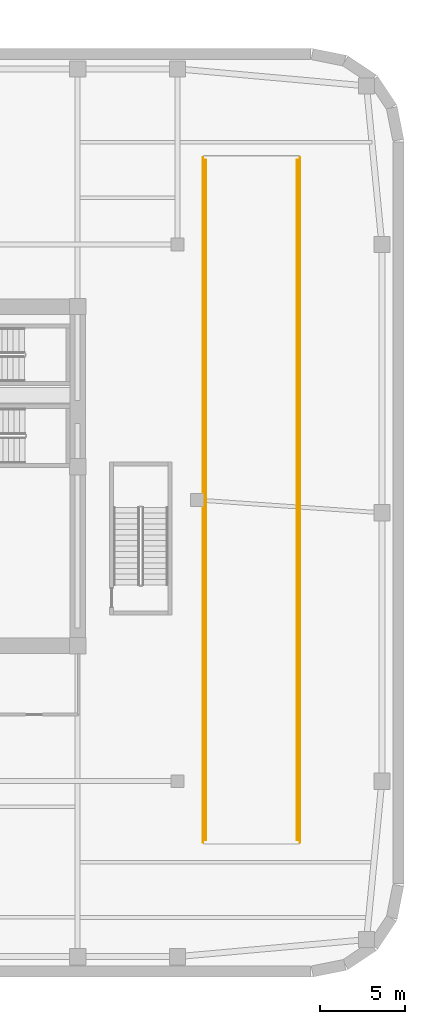
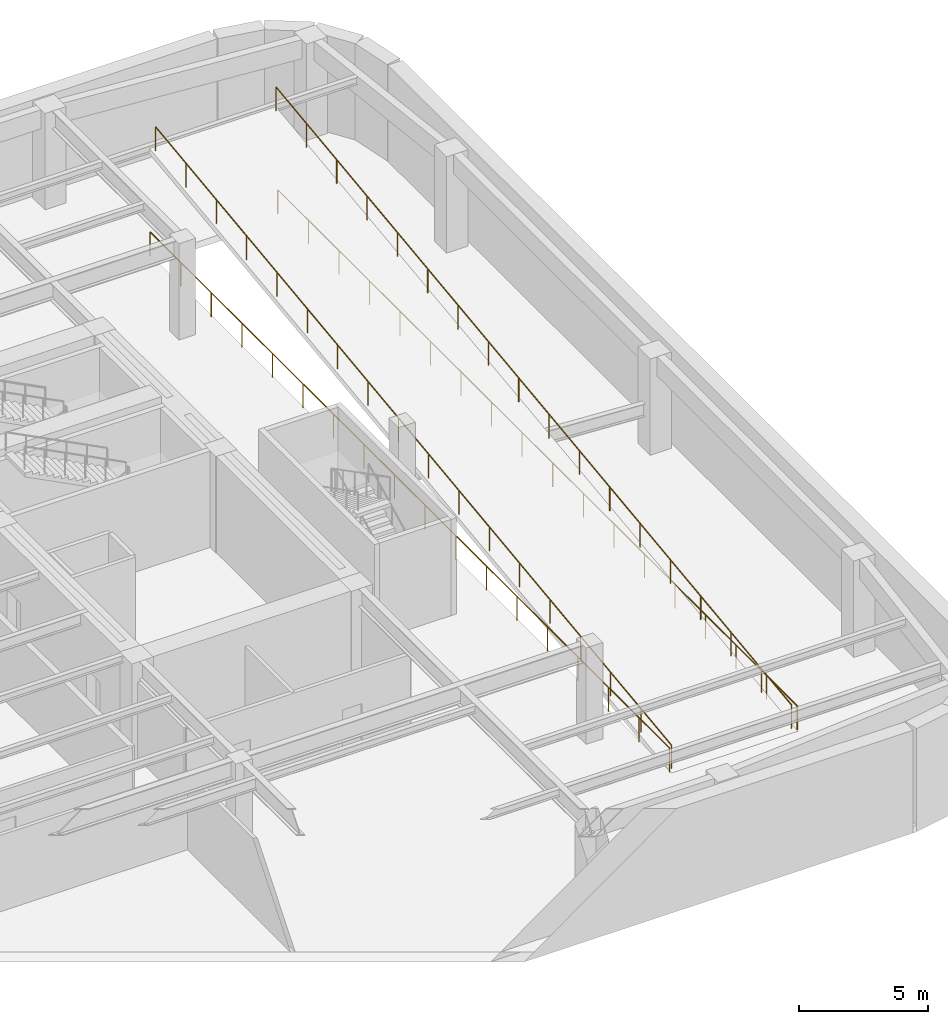
# One storey, part 12 of 12: 4 railings.
"""IFC4 building model written with IfcOpenShell, lengths in metres."""

from ifc_helpers import new_model, si_unit, direction, frame, origin, origin_2d, place, context, subcontext, project, spatial, circle, extrude, material, type_object, element, save


model = new_model("IFC4")

# Units and contexts
model_context = context("Model", 3, precision=1e-05, world=origin(), true_north=direction((0.0, 1.0)))
body_context = subcontext(model_context, "Body", "Model", "MODEL_VIEW")
ifc_project = project(units=[si_unit("LENGTHUNIT", "METRE"), si_unit("AREAUNIT", "SQUARE_METRE"), si_unit("VOLUMEUNIT", "CUBIC_METRE"), si_unit("PLANEANGLEUNIT", "RADIAN"), si_unit("MASSUNIT", "GRAM", prefix="KILO")], contexts=[model_context])

# Site, building, storey
site_placement = place(None, origin())
site = spatial("IfcSite", under=ifc_project, at=site_placement, CompositionType="ELEMENT")
building_placement = place(site_placement, origin())
building = spatial("IfcBuilding", under=site, at=building_placement, Name="Kolvaren Arena Tower", CompositionType="ELEMENT")
storey_placement = place(building_placement, frame((0.0, 0.0, -5.0)))
storey = spatial("IfcBuildingStorey", under=building, at=storey_placement, Name="B01", CompositionType="ELEMENT", Elevation=-5.0)

# Railings
ifc_material = material(Name="Painted galvanized steel", Category="steel")
railing_type = type_object("IfcRailingType", Name="GUARD-ST-110", PredefinedType="GUARDRAIL", material=ifc_material)
railing_1_placement = place(storey_placement, frame((67.860107421875, 8.050048828125, 0.0)))
element("IfcRailing", 1, at=railing_1_placement, inside=storey, type_object=railing_type, Name="Vehicle Ramp Edge Guardrail (B01)", PredefinedType="GUARDRAIL", context=body_context, shape_type="SweptSolid", body=[
    extrude(circle(Radius=0.02392578125, at=origin_2d()), frame((0.0, 0.0, 1.1259765625), z_axis=(0.0, 0.992239533256, 0.124341097969), x_axis=(-1.0, 0.0, 0.0)), (0.0, 0.0, 1.0), 40.2119140625),
    extrude(circle(Radius=0.02099609375, at=origin_2d()), origin(), (0.0, 0.0, 1.0), 1.101806640625),
    extrude(circle(Radius=0.02099609375, at=origin_2d()), frame((0.0, 2.34716796875, 0.294189453125)), (0.0, 0.0, 1.0), 1.101806640625),
    extrude(circle(Radius=0.02099609375, at=origin_2d()), frame((0.0, 4.694091796875, 0.588134765625)), (0.0, 0.0, 1.0), 1.101806640625),
    extrude(circle(Radius=0.02099609375, at=origin_2d()), frame((0.0, 7.041259765625, 0.88232421875)), (0.0, 0.0, 1.0), 1.101806640625),
    extrude(circle(Radius=0.02099609375, at=origin_2d()), frame((0.0, 9.38818359375, 1.176513671875)), (0.0, 0.0, 1.0), 1.101806640625),
    extrude(circle(Radius=0.02099609375, at=origin_2d()), frame((0.0, 11.7353515625, 1.470703125)), (0.0, 0.0, 1.0), 1.101806640625),
    extrude(circle(Radius=0.02099609375, at=origin_2d()), frame((0.0, 14.082275390625, 1.7646484375)), (0.0, 0.0, 1.0), 1.101806640625),
    extrude(circle(Radius=0.02099609375, at=origin_2d()), frame((0.0, 16.429443359375, 2.058837890625)), (0.0, 0.0, 1.0), 1.101806640625),
    extrude(circle(Radius=0.02099609375, at=origin_2d()), frame((0.0, 18.7763671875, 2.35302734375)), (0.0, 0.0, 1.0), 1.101806640625),
    extrude(circle(Radius=0.02099609375, at=origin_2d()), frame((0.0, 21.12353515625, 2.64697265625)), (0.0, 0.0, 1.0), 1.101806640625),
    extrude(circle(Radius=0.02099609375, at=origin_2d()), frame((0.0, 23.470458984375, 2.941162109375)), (0.0, 0.0, 1.0), 1.101806640625),
    extrude(circle(Radius=0.02099609375, at=origin_2d()), frame((0.0, 25.817626953125, 3.2353515625)), (0.0, 0.0, 1.0), 1.101806640625),
    extrude(circle(Radius=0.02099609375, at=origin_2d()), frame((0.0, 28.16455078125, 3.529296875)), (0.0, 0.0, 1.0), 1.101806640625),
    extrude(circle(Radius=0.02099609375, at=origin_2d()), frame((0.0, 30.51171875, 3.823486328125)), (0.0, 0.0, 1.0), 1.101806640625),
    extrude(circle(Radius=0.02099609375, at=origin_2d()), frame((0.0, 32.858642578125, 4.11767578125)), (0.0, 0.0, 1.0), 1.101806640625),
    extrude(circle(Radius=0.02099609375, at=origin_2d()), frame((0.0, 35.205810546875, 4.411865234375)), (0.0, 0.0, 1.0), 1.101806640625),
    extrude(circle(Radius=0.02099609375, at=origin_2d()), frame((0.0, 37.552734375, 4.705810546875)), (0.0, 0.0, 1.0), 1.101806640625),
    extrude(circle(Radius=0.02099609375, at=origin_2d()), frame((0.0, 39.89990234375, 5.0)), (0.0, 0.0, 1.0), 1.101806640625),
])
railing_2_placement = place(storey_placement, frame((73.239990234375, 8.050048828125, 0.0)))
element("IfcRailing", 2, at=railing_2_placement, inside=storey, type_object=railing_type, Name="Vehicle Ramp Edge Guardrail (B01)", PredefinedType="GUARDRAIL", context=body_context, shape_type="SweptSolid", body=[
    extrude(circle(Radius=0.02392578125, at=origin_2d()), frame((0.0, 0.0, 1.1259765625), z_axis=(0.0, 0.992239533256, 0.124341097969), x_axis=(-1.0, 0.0, 0.0)), (0.0, 0.0, 1.0), 40.2119140625),
    extrude(circle(Radius=0.02099609375, at=origin_2d()), origin(), (0.0, 0.0, 1.0), 1.101806640625),
    extrude(circle(Radius=0.02099609375, at=origin_2d()), frame((0.0, 2.34716796875, 0.294189453125)), (0.0, 0.0, 1.0), 1.101806640625),
    extrude(circle(Radius=0.02099609375, at=origin_2d()), frame((0.0, 4.694091796875, 0.588134765625)), (0.0, 0.0, 1.0), 1.101806640625),
    extrude(circle(Radius=0.02099609375, at=origin_2d()), frame((0.0, 7.041259765625, 0.88232421875)), (0.0, 0.0, 1.0), 1.101806640625),
    extrude(circle(Radius=0.02099609375, at=origin_2d()), frame((0.0, 9.38818359375, 1.176513671875)), (0.0, 0.0, 1.0), 1.101806640625),
    extrude(circle(Radius=0.02099609375, at=origin_2d()), frame((0.0, 11.7353515625, 1.470703125)), (0.0, 0.0, 1.0), 1.101806640625),
    extrude(circle(Radius=0.02099609375, at=origin_2d()), frame((0.0, 14.082275390625, 1.7646484375)), (0.0, 0.0, 1.0), 1.101806640625),
    extrude(circle(Radius=0.02099609375, at=origin_2d()), frame((0.0, 16.429443359375, 2.058837890625)), (0.0, 0.0, 1.0), 1.101806640625),
    extrude(circle(Radius=0.02099609375, at=origin_2d()), frame((0.0, 18.7763671875, 2.35302734375)), (0.0, 0.0, 1.0), 1.101806640625),
    extrude(circle(Radius=0.02099609375, at=origin_2d()), frame((0.0, 21.12353515625, 2.64697265625)), (0.0, 0.0, 1.0), 1.101806640625),
    extrude(circle(Radius=0.02099609375, at=origin_2d()), frame((0.0, 23.470458984375, 2.941162109375)), (0.0, 0.0, 1.0), 1.101806640625),
    extrude(circle(Radius=0.02099609375, at=origin_2d()), frame((0.0, 25.817626953125, 3.2353515625)), (0.0, 0.0, 1.0), 1.101806640625),
    extrude(circle(Radius=0.02099609375, at=origin_2d()), frame((0.0, 28.16455078125, 3.529296875)), (0.0, 0.0, 1.0), 1.101806640625),
    extrude(circle(Radius=0.02099609375, at=origin_2d()), frame((0.0, 30.51171875, 3.823486328125)), (0.0, 0.0, 1.0), 1.101806640625),
    extrude(circle(Radius=0.02099609375, at=origin_2d()), frame((0.0, 32.858642578125, 4.11767578125)), (0.0, 0.0, 1.0), 1.101806640625),
    extrude(circle(Radius=0.02099609375, at=origin_2d()), frame((0.0, 35.205810546875, 4.411865234375)), (0.0, 0.0, 1.0), 1.101806640625),
    extrude(circle(Radius=0.02099609375, at=origin_2d()), frame((0.0, 37.552734375, 4.705810546875)), (0.0, 0.0, 1.0), 1.101806640625),
    extrude(circle(Radius=0.02099609375, at=origin_2d()), frame((0.0, 39.89990234375, 5.0)), (0.0, 0.0, 1.0), 1.101806640625),
])
railing_3_placement = place(storey_placement, frame((67.699951171875, 7.89990234375, 0.0)))
element("IfcRailing", 3, at=railing_3_placement, inside=storey, type_object=railing_type, Name="Vehicle Ramp Well Guardrail (B01)", PredefinedType="GUARDRAIL", context=body_context, shape_type="SweptSolid", body=[
    extrude(circle(Radius=0.02392578125, at=origin_2d()), frame((0.0, 0.0, 1.1259765625), z_axis=(0.0, 1.0, 0.0), x_axis=(-1.0, 0.0, 0.0)), (0.0, 0.0, 1.0), 40.2001953125),
    extrude(circle(Radius=0.02099609375, at=origin_2d()), origin(), (0.0, 0.0, 1.0), 1.101806640625),
    extrude(circle(Radius=0.02099609375, at=origin_2d()), frame((0.0, 2.36474609375, 0.0)), (0.0, 0.0, 1.0), 1.101806640625),
    extrude(circle(Radius=0.02099609375, at=origin_2d()), frame((0.0, 4.7294921875, 0.0)), (0.0, 0.0, 1.0), 1.101806640625),
    extrude(circle(Radius=0.02099609375, at=origin_2d()), frame((0.0, 7.09423828125, 0.0)), (0.0, 0.0, 1.0), 1.101806640625),
    extrude(circle(Radius=0.02099609375, at=origin_2d()), frame((0.0, 9.458984375, 0.0)), (0.0, 0.0, 1.0), 1.101806640625),
    extrude(circle(Radius=0.02099609375, at=origin_2d()), frame((0.0, 11.823486328125, 0.0)), (0.0, 0.0, 1.0), 1.101806640625),
    extrude(circle(Radius=0.02099609375, at=origin_2d()), frame((0.0, 14.188232421875, 0.0)), (0.0, 0.0, 1.0), 1.101806640625),
    extrude(circle(Radius=0.02099609375, at=origin_2d()), frame((0.0, 16.552978515625, 0.0)), (0.0, 0.0, 1.0), 1.101806640625),
    extrude(circle(Radius=0.02099609375, at=origin_2d()), frame((0.0, 18.917724609375, 0.0)), (0.0, 0.0, 1.0), 1.101806640625),
    extrude(circle(Radius=0.02099609375, at=origin_2d()), frame((0.0, 21.282470703125, 0.0)), (0.0, 0.0, 1.0), 1.101806640625),
    extrude(circle(Radius=0.02099609375, at=origin_2d()), frame((0.0, 23.647216796875, 0.0)), (0.0, 0.0, 1.0), 1.101806640625),
    extrude(circle(Radius=0.02099609375, at=origin_2d()), frame((0.0, 26.011962890625, 0.0)), (0.0, 0.0, 1.0), 1.101806640625),
    extrude(circle(Radius=0.02099609375, at=origin_2d()), frame((0.0, 28.376708984375, 0.0)), (0.0, 0.0, 1.0), 1.101806640625),
    extrude(circle(Radius=0.02099609375, at=origin_2d()), frame((0.0, 30.7412109375, 0.0)), (0.0, 0.0, 1.0), 1.101806640625),
    extrude(circle(Radius=0.02099609375, at=origin_2d()), frame((0.0, 33.10595703125, 0.0)), (0.0, 0.0, 1.0), 1.101806640625),
    extrude(circle(Radius=0.02099609375, at=origin_2d()), frame((0.0, 35.470703125, 0.0)), (0.0, 0.0, 1.0), 1.101806640625),
    extrude(circle(Radius=0.02099609375, at=origin_2d()), frame((0.0, 37.83544921875, 0.0)), (0.0, 0.0, 1.0), 1.101806640625),
    extrude(circle(Radius=0.02099609375, at=origin_2d()), frame((0.0, 40.2001953125, 0.0)), (0.0, 0.0, 1.0), 1.101806640625),
])
railing_4_placement = place(storey_placement, frame((73.39990234375, 7.89990234375, 0.0)))
element("IfcRailing", 4, at=railing_4_placement, inside=storey, type_object=railing_type, Name="Vehicle Ramp Well Guardrail (B01)", PredefinedType="GUARDRAIL", context=body_context, shape_type="SweptSolid", body=[
    extrude(circle(Radius=0.02392578125, at=origin_2d()), frame((0.0, 0.0, 1.1259765625), z_axis=(0.0, 1.0, 0.0), x_axis=(-1.0, 0.0, 0.0)), (0.0, 0.0, 1.0), 40.2001953125),
    extrude(circle(Radius=0.02099609375, at=origin_2d()), origin(), (0.0, 0.0, 1.0), 1.101806640625),
    extrude(circle(Radius=0.02099609375, at=origin_2d()), frame((0.0, 2.36474609375, 0.0)), (0.0, 0.0, 1.0), 1.101806640625),
    extrude(circle(Radius=0.02099609375, at=origin_2d()), frame((0.0, 4.7294921875, 0.0)), (0.0, 0.0, 1.0), 1.101806640625),
    extrude(circle(Radius=0.02099609375, at=origin_2d()), frame((0.0, 7.09423828125, 0.0)), (0.0, 0.0, 1.0), 1.101806640625),
    extrude(circle(Radius=0.02099609375, at=origin_2d()), frame((0.0, 9.458984375, 0.0)), (0.0, 0.0, 1.0), 1.101806640625),
    extrude(circle(Radius=0.02099609375, at=origin_2d()), frame((0.0, 11.823486328125, 0.0)), (0.0, 0.0, 1.0), 1.101806640625),
    extrude(circle(Radius=0.02099609375, at=origin_2d()), frame((0.0, 14.188232421875, 0.0)), (0.0, 0.0, 1.0), 1.101806640625),
    extrude(circle(Radius=0.02099609375, at=origin_2d()), frame((0.0, 16.552978515625, 0.0)), (0.0, 0.0, 1.0), 1.101806640625),
    extrude(circle(Radius=0.02099609375, at=origin_2d()), frame((0.0, 18.917724609375, 0.0)), (0.0, 0.0, 1.0), 1.101806640625),
    extrude(circle(Radius=0.02099609375, at=origin_2d()), frame((0.0, 21.282470703125, 0.0)), (0.0, 0.0, 1.0), 1.101806640625),
    extrude(circle(Radius=0.02099609375, at=origin_2d()), frame((0.0, 23.647216796875, 0.0)), (0.0, 0.0, 1.0), 1.101806640625),
    extrude(circle(Radius=0.02099609375, at=origin_2d()), frame((0.0, 26.011962890625, 0.0)), (0.0, 0.0, 1.0), 1.101806640625),
    extrude(circle(Radius=0.02099609375, at=origin_2d()), frame((0.0, 28.376708984375, 0.0)), (0.0, 0.0, 1.0), 1.101806640625),
    extrude(circle(Radius=0.02099609375, at=origin_2d()), frame((0.0, 30.7412109375, 0.0)), (0.0, 0.0, 1.0), 1.101806640625),
    extrude(circle(Radius=0.02099609375, at=origin_2d()), frame((0.0, 33.10595703125, 0.0)), (0.0, 0.0, 1.0), 1.101806640625),
    extrude(circle(Radius=0.02099609375, at=origin_2d()), frame((0.0, 35.470703125, 0.0)), (0.0, 0.0, 1.0), 1.101806640625),
    extrude(circle(Radius=0.02099609375, at=origin_2d()), frame((0.0, 37.83544921875, 0.0)), (0.0, 0.0, 1.0), 1.101806640625),
    extrude(circle(Radius=0.02099609375, at=origin_2d()), frame((0.0, 40.2001953125, 0.0)), (0.0, 0.0, 1.0), 1.101806640625),
])

save(model, "model.ifc")
